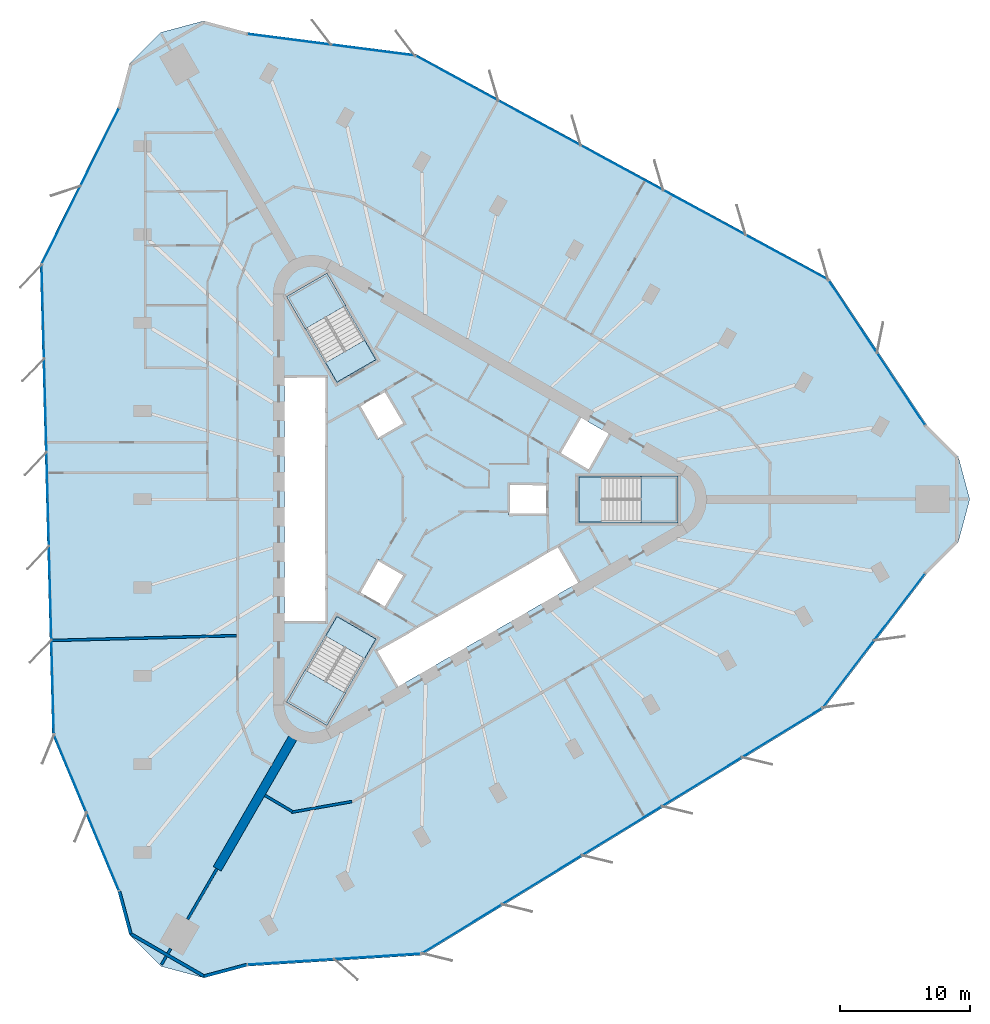
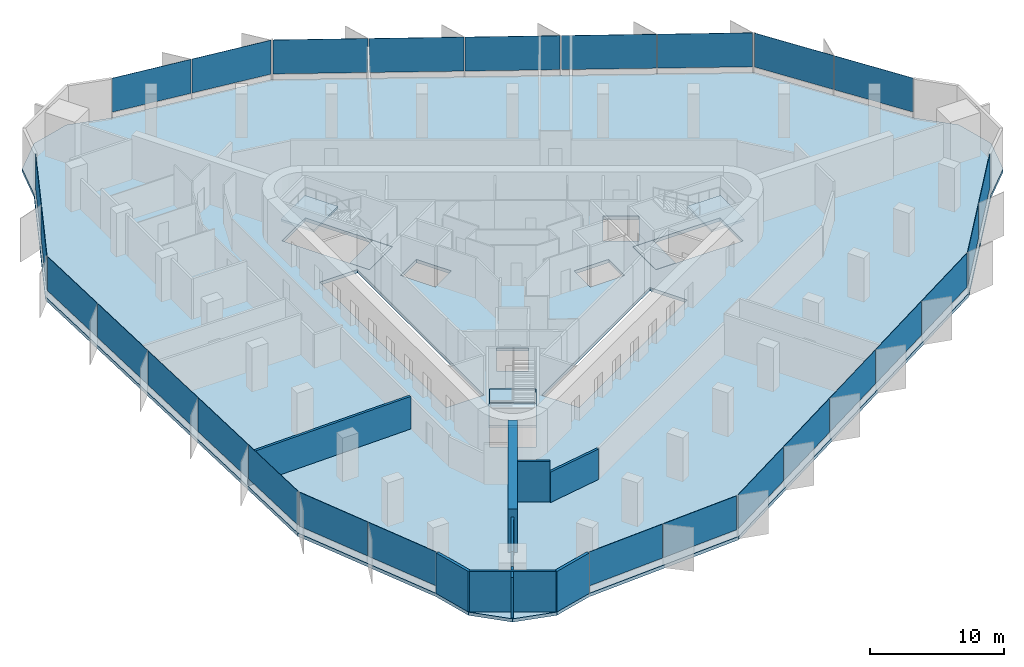
# One storey, part 7 of 14: 27 plates, 10 walls, 7 slabs, 12 elements without a shape of their own.
"""IFC4 building model written with IfcOpenShell, lengths in metres."""

from ifc_helpers import new_model, si_unit, direction, frame, frame_2d, origin, origin_2d, place, context, subcontext, project, spatial, polyline, rectangle, outline, extrude, material, layer, layer_set, type_object, element, aggregate, save


model = new_model("IFC4")

# Units and contexts
model_context = context("Model", 3, precision=1e-05, world=origin(), true_north=direction((0.0, 1.0)))
body_context = subcontext(model_context, "Body", "Model", "MODEL_VIEW")
ifc_project = project(units=[si_unit("LENGTHUNIT", "METRE"), si_unit("AREAUNIT", "SQUARE_METRE"), si_unit("VOLUMEUNIT", "CUBIC_METRE"), si_unit("PLANEANGLEUNIT", "RADIAN"), si_unit("MASSUNIT", "GRAM", prefix="KILO")], contexts=[model_context])

# Site, building, storey
site_placement = place(None, origin())
site = spatial("IfcSite", under=ifc_project, at=site_placement, CompositionType="ELEMENT")
building_placement = place(site_placement, origin())
building = spatial("IfcBuilding", under=site, at=building_placement, Name="Tanit Gate Tower", CompositionType="ELEMENT")
storey_placement = place(building_placement, frame((0.0, 0.0, 225.199951171875)))
storey = spatial("IfcBuildingStorey", under=building, at=storey_placement, Name="L50", CompositionType="ELEMENT", Elevation=225.199951171875)

# Slab
ifc_material_1 = material(Name="Concrete C35/45", Category="concrete")
ifc_layer_1 = layer(ifc_material_1, 0.300048828125)
ifc_layer_set_1 = layer_set([ifc_layer_1], Name="FLOOR SLAB 300 C35/45")
slab_type_1 = type_object("IfcSlabType", Name="FLOOR SLAB 300 C35/45", PredefinedType="FLOOR", material=ifc_layer_set_1)
slab_1_placement = place(storey_placement, frame((0.0, 0.0, -0.300048828125)))
element("IfcSlab", 1, at=slab_1_placement, inside=storey, type_object=slab_type_1, Name="FLOOR SLAB L50", PredefinedType="FLOOR", context=body_context, shape_type="SweptSolid", body=[
    extrude(outline(polyline([(38.059814453125, 5.72509765625), (40.4794921875, 3.305419921875), (41.365234375, 0.0), (40.4794921875, -3.305419921875), (38.059814453125, -5.72509765625), (30.148193359375, -16.10009765625), (-0.66015625, -34.974609375), (-14.07177734375, -35.823486328125), (-17.377197265625, -36.708984375), (-20.6826171875, -35.823486328125), (-23.102294921875, -33.40380859375), (-23.988037109375, -30.098388671875), (-29.017333984375, -18.05908203125), (-29.958984375, 18.05908203125), (-23.988037109375, 30.098388671875), (-23.102294921875, 33.40380859375), (-20.6826171875, 35.823486328125), (-17.377197265625, 36.708984375), (-14.07177734375, 35.823486328125), (-1.130859375, 34.1591796875), (30.618896484375, 16.915771484375), (38.059814453125, 5.72509765625)]), holes=[polyline([(11.3701171875, 1.72998046875), (18.929931640625, 1.72998046875), (18.929931640625, -1.72998046875), (11.3701171875, -1.72998046875), (11.3701171875, 1.72998046875)]), polyline([(9.82080078125, 3.510009765625), (11.44580078125, 6.324462890625), (13.783935546875, 4.974609375), (12.158935546875, 2.159912109375), (9.82080078125, 3.510009765625)]), polyline([(-4.208984375, -11.60986328125), (9.82080078125, -3.510009765625), (11.44580078125, -6.324462890625), (-2.583984375, -14.424560546875), (-4.208984375, -11.60986328125)]), polyline([(6.0, 1.199951171875), (9.0, 1.199951171875), (9.0, -1.199951171875), (6.0, -1.199951171875), (6.0, 1.199951171875)]), polyline([(-5.539306640625, 7.194091796875), (-3.460693359375, 8.394287109375), (-1.960693359375, 5.796142578125), (-4.039306640625, 4.59619140625), (-5.539306640625, 7.194091796875)]), polyline([(-1.960693359375, -5.796142578125), (-3.460693359375, -8.394287109375), (-5.539306640625, -7.194091796875), (-4.039306640625, -4.59619140625), (-1.960693359375, -5.796142578125)]), polyline([(-10.963134765625, 15.52880859375), (-7.966796875, 17.2587890625), (-4.186767578125, 10.711669921875), (-7.18310546875, 8.981689453125), (-10.963134765625, 15.52880859375)]), polyline([(-4.186767578125, -10.711669921875), (-7.966796875, -17.2587890625), (-10.963134765625, -15.52880859375), (-7.18310546875, -8.981689453125), (-4.186767578125, -10.711669921875)]), polyline([(-11.199951171875, -9.449951171875), (-11.199951171875, 9.449951171875), (-7.949951171875, 9.449951171875), (-7.949951171875, -9.449951171875), (-11.199951171875, -9.449951171875)])]), origin(), (0.0, 0.0, 1.0), 0.300048828125),
])

# Curtain wall, plates
ifc_material_2 = material(Name="Aluminium bronze anodised and glass", Category="aluminium")
curtain_wall_type = type_object("IfcCurtainWallType", Name="Curtain wall typical mid", PredefinedType="NOTDEFINED", material=ifc_material_2)
curtain_wall_1_placement = place(storey_placement, origin())
curtain_wall_1 = element("IfcCurtainWall", 2, at=curtain_wall_1_placement, inside=storey, type_object=curtain_wall_type, Name="Curtain wall L50 NE1", PredefinedType="NOTDEFINED")
ifc_material_3 = material(Name="Glass tinted", Category="glass")
ifc_layer_2 = layer(ifc_material_3, 0.030029296875)
ifc_layer_set_2 = layer_set([ifc_layer_2], Name="Glass panel 30 typical mid")
plate_type = type_object("IfcPlateType", Name="Glass panel 30 typical mid", PredefinedType="CURTAIN_PANEL", material=ifc_layer_set_2)
plate_1_placement = place(storey_placement, frame((36.09765625, 8.459228515625, 0.60009765625), z_axis=(0.0, 0.0, 1.0), x_axis=(-0.553699143506, 0.832716793682, 0.0)))
plate_1 = element("IfcPlate", 3, at=plate_1_placement, type_object=plate_type, Name="Glass panel L50 NE1.1", PredefinedType="CURTAIN_PANEL", context=body_context, shape_type="SweptSolid", body=[
    extrude(rectangle(XDim=6.59033203125, YDim=0.030029296875, at=origin_2d()), origin(), (0.0, 0.0, 1.0), 3.10009765625),
])
plate_2_placement = place(storey_placement, frame((32.404296875, 14.013916015625, 0.60009765625), z_axis=(0.0, 0.0, 1.0), x_axis=(-0.553699143506, 0.832716793682, 0.0)))
plate_2 = element("IfcPlate", 4, at=plate_2_placement, type_object=plate_type, Name="Glass panel L50 NE1.2", PredefinedType="CURTAIN_PANEL", context=body_context, shape_type="SweptSolid", body=[
    extrude(rectangle(XDim=6.59033203125, YDim=0.030029296875, at=origin_2d()), origin(), (0.0, 0.0, 1.0), 3.10009765625),
])
aggregate(curtain_wall_1, [plate_1, plate_2])

curtain_wall_2_placement = place(storey_placement, origin())
curtain_wall_2 = element("IfcCurtainWall", 5, at=curtain_wall_2_placement, inside=storey, type_object=curtain_wall_type, Name="Curtain wall L50 NE2", PredefinedType="NOTDEFINED")
plate_3_placement = place(storey_placement, frame((27.3369140625, 18.5615234375, 0.60009765625), z_axis=(0.0, 0.0, 1.0), x_axis=(-0.878762487631, 0.477259353321, 0.0)))
plate_3 = element("IfcPlate", 6, at=plate_3_placement, type_object=plate_type, Name="Glass panel L50 NE2.1", PredefinedType="CURTAIN_PANEL", context=body_context, shape_type="SweptSolid", body=[
    extrude(rectangle(XDim=7.11962890625, YDim=0.030029296875, at=origin_2d()), origin(), (0.0, 0.0, 1.0), 3.10009765625),
])
plate_4_placement = place(storey_placement, frame((21.01025390625, 21.99755859375, 0.60009765625), z_axis=(0.0, 0.0, 1.0), x_axis=(-0.878762487631, 0.477259353321, 0.0)))
plate_4 = element("IfcPlate", 7, at=plate_4_placement, type_object=plate_type, Name="Glass panel L50 NE2.2", PredefinedType="CURTAIN_PANEL", context=body_context, shape_type="SweptSolid", body=[
    extrude(rectangle(XDim=7.11962890625, YDim=0.030029296875, at=origin_2d()), origin(), (0.0, 0.0, 1.0), 3.10009765625),
])
plate_5_placement = place(storey_placement, frame((14.68359375, 25.433837890625, 0.60009765625), z_axis=(0.0, 0.0, 1.0), x_axis=(-0.878762487631, 0.477259353321, 0.0)))
plate_5 = element("IfcPlate", 8, at=plate_5_placement, type_object=plate_type, Name="Glass panel L50 NE2.3", PredefinedType="CURTAIN_PANEL", context=body_context, shape_type="SweptSolid", body=[
    extrude(rectangle(XDim=7.11962890625, YDim=0.030029296875, at=origin_2d()), origin(), (0.0, 0.0, 1.0), 3.10009765625),
])
plate_6_placement = place(storey_placement, frame((8.356689453125, 28.869873046875, 0.60009765625), z_axis=(0.0, 0.0, 1.0), x_axis=(-0.878762487631, 0.477259353321, 0.0)))
plate_6 = element("IfcPlate", 9, at=plate_6_placement, type_object=plate_type, Name="Glass panel L50 NE2.4", PredefinedType="CURTAIN_PANEL", context=body_context, shape_type="SweptSolid", body=[
    extrude(rectangle(XDim=7.11962890625, YDim=0.030029296875, at=origin_2d()), origin(), (0.0, 0.0, 1.0), 3.10009765625),
])
plate_7_placement = place(storey_placement, frame((2.030029296875, 32.305908203125, 0.60009765625), z_axis=(0.0, 0.0, 1.0), x_axis=(-0.878762487631, 0.477259353321, 0.0)))
plate_7 = element("IfcPlate", 10, at=plate_7_placement, type_object=plate_type, Name="Glass panel L50 NE2.5", PredefinedType="CURTAIN_PANEL", context=body_context, shape_type="SweptSolid", body=[
    extrude(rectangle(XDim=7.11962890625, YDim=0.030029296875, at=origin_2d()), origin(), (0.0, 0.0, 1.0), 3.10009765625),
])
aggregate(curtain_wall_2, [plate_3, plate_4, plate_5, plate_6, plate_7])

curtain_wall_3_placement = place(storey_placement, origin())
curtain_wall_3 = element("IfcCurtainWall", 11, at=curtain_wall_3_placement, inside=storey, type_object=curtain_wall_type, Name="Curtain wall L50 NE3", PredefinedType="NOTDEFINED")
plate_8_placement = place(storey_placement, frame((-4.419921875, 34.461181640625, 0.60009765625), z_axis=(0.0, 0.0, 1.0), x_axis=(-0.991831679282, 0.127553596472, 0.0)))
plate_8 = element("IfcPlate", 12, at=plate_8_placement, type_object=plate_type, Name="Glass panel L50 NE3.1", PredefinedType="CURTAIN_PANEL", context=body_context, shape_type="SweptSolid", body=[
    extrude(rectangle(XDim=6.396484375, YDim=0.030029296875, at=origin_2d()), origin(), (0.0, 0.0, 1.0), 3.10009765625),
])
plate_9_placement = place(storey_placement, frame((-10.843505859375, 35.287353515625, 0.60009765625), z_axis=(0.0, 0.0, 1.0), x_axis=(-0.991831679282, 0.127553596472, 0.0)))
plate_9 = element("IfcPlate", 13, at=plate_9_placement, type_object=plate_type, Name="Glass panel L50 NE3.2", PredefinedType="CURTAIN_PANEL", context=body_context, shape_type="SweptSolid", body=[
    extrude(rectangle(XDim=6.396484375, YDim=0.030029296875, at=origin_2d()), origin(), (0.0, 0.0, 1.0), 3.10009765625),
])
aggregate(curtain_wall_3, [plate_8, plate_9])

curtain_wall_4_placement = place(storey_placement, origin())
curtain_wall_4 = element("IfcCurtainWall", 14, at=curtain_wall_4_placement, inside=storey, type_object=curtain_wall_type, Name="Curtain wall L50 W1", PredefinedType="NOTDEFINED")
plate_10_placement = place(storey_placement, frame((-25.375, 27.031982421875, 0.60009765625), z_axis=(0.0, 0.0, 1.0), x_axis=(-0.444304325734, -0.895875921171, 0.0)))
plate_10 = element("IfcPlate", 15, at=plate_10_placement, type_object=plate_type, Name="Glass panel L50 W1.1", PredefinedType="CURTAIN_PANEL", context=body_context, shape_type="SweptSolid", body=[
    extrude(rectangle(XDim=6.59033203125, YDim=0.030029296875, at=origin_2d()), origin(), (0.0, 0.0, 1.0), 3.10009765625),
])
plate_11_placement = place(storey_placement, frame((-28.338623046875, 21.05615234375, 0.60009765625), z_axis=(0.0, 0.0, 1.0), x_axis=(-0.444304325734, -0.895875921171, 0.0)))
plate_11 = element("IfcPlate", 16, at=plate_11_placement, type_object=plate_type, Name="Glass panel L50 W1.2", PredefinedType="CURTAIN_PANEL", context=body_context, shape_type="SweptSolid", body=[
    extrude(rectangle(XDim=6.59033203125, YDim=0.030029296875, at=origin_2d()), origin(), (0.0, 0.0, 1.0), 3.10009765625),
])
aggregate(curtain_wall_4, [plate_10, plate_11])

curtain_wall_5_placement = place(storey_placement, origin())
curtain_wall_5 = element("IfcCurtainWall", 17, at=curtain_wall_5_placement, inside=storey, type_object=curtain_wall_type, Name="Curtain wall L50 W2", PredefinedType="NOTDEFINED")
plate_12_placement = place(storey_placement, frame((-29.743408203125, 14.393798828125, 0.60009765625), z_axis=(0.0, 0.0, 1.0), x_axis=(0.026062519646, -0.999660314842, 0.0)))
plate_12 = element("IfcPlate", 18, at=plate_12_placement, type_object=plate_type, Name="Glass panel L50 W2.1", PredefinedType="CURTAIN_PANEL", context=body_context, shape_type="SweptSolid", body=[
    extrude(rectangle(XDim=7.11962890625, YDim=0.030029296875, at=origin_2d()), origin(), (0.0, 0.0, 1.0), 3.10009765625),
])
plate_13_placement = place(storey_placement, frame((-29.5556640625, 7.196533203125, 0.60009765625), z_axis=(0.0, 0.0, 1.0), x_axis=(0.026062519646, -0.999660314842, 0.0)))
plate_13 = element("IfcPlate", 19, at=plate_13_placement, type_object=plate_type, Name="Glass panel L50 W2.2", PredefinedType="CURTAIN_PANEL", context=body_context, shape_type="SweptSolid", body=[
    extrude(rectangle(XDim=7.11962890625, YDim=0.030029296875, at=origin_2d()), origin(), (0.0, 0.0, 1.0), 3.10009765625),
])
plate_14_placement = place(storey_placement, frame((-29.367919921875, -0.00048828125, 0.60009765625), z_axis=(0.0, 0.0, 1.0), x_axis=(0.026062519646, -0.999660314842, 0.0)))
plate_14 = element("IfcPlate", 20, at=plate_14_placement, type_object=plate_type, Name="Glass panel L50 W2.3", PredefinedType="CURTAIN_PANEL", context=body_context, shape_type="SweptSolid", body=[
    extrude(rectangle(XDim=7.11962890625, YDim=0.030029296875, at=origin_2d()), origin(), (0.0, 0.0, 1.0), 3.10009765625),
])
plate_15_placement = place(storey_placement, frame((-29.180419921875, -7.19775390625, 0.60009765625), z_axis=(0.0, 0.0, 1.0), x_axis=(0.026062519646, -0.999660314842, 0.0)))
plate_15 = element("IfcPlate", 21, at=plate_15_placement, type_object=plate_type, Name="Glass panel L50 W2.4", PredefinedType="CURTAIN_PANEL", context=body_context, shape_type="SweptSolid", body=[
    extrude(rectangle(XDim=7.11962890625, YDim=0.030029296875, at=origin_2d()), origin(), (0.0, 0.0, 1.0), 3.10009765625),
])
plate_16_placement = place(storey_placement, frame((-28.99267578125, -14.394775390625, 0.60009765625), z_axis=(0.0, 0.0, 1.0), x_axis=(0.026062519646, -0.999660314842, 0.0)))
plate_16 = element("IfcPlate", 22, at=plate_16_placement, type_object=plate_type, Name="Glass panel L50 W2.5", PredefinedType="CURTAIN_PANEL", context=body_context, shape_type="SweptSolid", body=[
    extrude(rectangle(XDim=7.11962890625, YDim=0.030029296875, at=origin_2d()), origin(), (0.0, 0.0, 1.0), 3.10009765625),
])
aggregate(curtain_wall_5, [plate_12, plate_13, plate_14, plate_15, plate_16])

curtain_wall_6_placement = place(storey_placement, origin())
curtain_wall_6 = element("IfcCurtainWall", 23, at=curtain_wall_6_placement, inside=storey, type_object=curtain_wall_type, Name="Curtain wall L50 W3", PredefinedType="NOTDEFINED")
plate_17_placement = place(storey_placement, frame((-27.63427734375, -21.058349609375, 0.60009765625), z_axis=(0.0, 0.0, 1.0), x_axis=(0.385451184752, -0.922728228772, 0.0)))
plate_17 = element("IfcPlate", 24, at=plate_17_placement, type_object=plate_type, Name="Glass panel L50 W3.1", PredefinedType="CURTAIN_PANEL", context=body_context, shape_type="SweptSolid", body=[
    extrude(rectangle(XDim=6.396484375, YDim=0.030029296875, at=origin_2d()), origin(), (0.0, 0.0, 1.0), 3.10009765625),
])
plate_18_placement = place(storey_placement, frame((-25.137939453125, -27.034423828125, 0.60009765625), z_axis=(0.0, 0.0, 1.0), x_axis=(0.385451184752, -0.922728228772, 0.0)))
plate_18 = element("IfcPlate", 25, at=plate_18_placement, type_object=plate_type, Name="Glass panel L50 W3.2", PredefinedType="CURTAIN_PANEL", context=body_context, shape_type="SweptSolid", body=[
    extrude(rectangle(XDim=6.396484375, YDim=0.030029296875, at=origin_2d()), origin(), (0.0, 0.0, 1.0), 3.10009765625),
])
aggregate(curtain_wall_6, [plate_17, plate_18])

curtain_wall_7_placement = place(storey_placement, origin())
curtain_wall_7 = element("IfcCurtainWall", 26, at=curtain_wall_7_placement, inside=storey, type_object=curtain_wall_type, Name="Curtain wall L50 SE1", PredefinedType="NOTDEFINED")
plate_19_placement = place(storey_placement, frame((-10.722900390625, -35.4912109375, 0.60009765625), z_axis=(0.0, 0.0, 1.0), x_axis=(0.99800346924, 0.063159127489, 0.0)))
plate_19 = element("IfcPlate", 27, at=plate_19_placement, type_object=plate_type, Name="Glass panel L50 SE1.1", PredefinedType="CURTAIN_PANEL", context=body_context, shape_type="SweptSolid", body=[
    extrude(rectangle(XDim=6.59033203125, YDim=0.030029296875, at=origin_2d()), origin(), (0.0, 0.0, 1.0), 3.10009765625),
])
plate_20_placement = place(storey_placement, frame((-4.065673828125, -35.06982421875, 0.60009765625), z_axis=(0.0, 0.0, 1.0), x_axis=(0.99800346924, 0.063159127489, 0.0)))
plate_20 = element("IfcPlate", 28, at=plate_20_placement, type_object=plate_type, Name="Glass panel L50 SE1.2", PredefinedType="CURTAIN_PANEL", context=body_context, shape_type="SweptSolid", body=[
    extrude(rectangle(XDim=6.59033203125, YDim=0.030029296875, at=origin_2d()), origin(), (0.0, 0.0, 1.0), 3.10009765625),
])
aggregate(curtain_wall_7, [plate_19, plate_20])

curtain_wall_8_placement = place(storey_placement, origin())
curtain_wall_8 = element("IfcCurtainWall", 29, at=curtain_wall_8_placement, inside=storey, type_object=curtain_wall_type, Name="Curtain wall L50 SE2", PredefinedType="NOTDEFINED")
plate_21_placement = place(storey_placement, frame((2.40625, -32.955322265625, 0.60009765625), z_axis=(0.0, 0.0, 1.0), x_axis=(0.852699967985, 0.522400961521, 0.0)))
plate_21 = element("IfcPlate", 30, at=plate_21_placement, type_object=plate_type, Name="Glass panel L50 SE2.1", PredefinedType="CURTAIN_PANEL", context=body_context, shape_type="SweptSolid", body=[
    extrude(rectangle(XDim=7.11962890625, YDim=0.030029296875, at=origin_2d()), origin(), (0.0, 0.0, 1.0), 3.10009765625),
])
plate_22_placement = place(storey_placement, frame((8.54541015625, -29.1943359375, 0.60009765625), z_axis=(0.0, 0.0, 1.0), x_axis=(0.852699967985, 0.522400961521, 0.0)))
plate_22 = element("IfcPlate", 31, at=plate_22_placement, type_object=plate_type, Name="Glass panel L50 SE2.2", PredefinedType="CURTAIN_PANEL", context=body_context, shape_type="SweptSolid", body=[
    extrude(rectangle(XDim=7.11962890625, YDim=0.030029296875, at=origin_2d()), origin(), (0.0, 0.0, 1.0), 3.10009765625),
])
plate_23_placement = place(storey_placement, frame((14.6845703125, -25.43310546875, 0.60009765625), z_axis=(0.0, 0.0, 1.0), x_axis=(0.852699967985, 0.522400961521, 0.0)))
plate_23 = element("IfcPlate", 32, at=plate_23_placement, type_object=plate_type, Name="Glass panel L50 SE2.3", PredefinedType="CURTAIN_PANEL", context=body_context, shape_type="SweptSolid", body=[
    extrude(rectangle(XDim=7.11962890625, YDim=0.030029296875, at=origin_2d()), origin(), (0.0, 0.0, 1.0), 3.10009765625),
])
plate_24_placement = place(storey_placement, frame((20.823486328125, -21.672119140625, 0.60009765625), z_axis=(0.0, 0.0, 1.0), x_axis=(0.852699967985, 0.522400961521, 0.0)))
plate_24 = element("IfcPlate", 33, at=plate_24_placement, type_object=plate_type, Name="Glass panel L50 SE2.4", PredefinedType="CURTAIN_PANEL", context=body_context, shape_type="SweptSolid", body=[
    extrude(rectangle(XDim=7.11962890625, YDim=0.030029296875, at=origin_2d()), origin(), (0.0, 0.0, 1.0), 3.10009765625),
])
plate_25_placement = place(storey_placement, frame((26.962646484375, -17.9111328125, 0.60009765625), z_axis=(0.0, 0.0, 1.0), x_axis=(0.852699967985, 0.522400961521, 0.0)))
plate_25 = element("IfcPlate", 34, at=plate_25_placement, type_object=plate_type, Name="Glass panel L50 SE2.5", PredefinedType="CURTAIN_PANEL", context=body_context, shape_type="SweptSolid", body=[
    extrude(rectangle(XDim=7.11962890625, YDim=0.030029296875, at=origin_2d()), origin(), (0.0, 0.0, 1.0), 3.10009765625),
])
aggregate(curtain_wall_8, [plate_21, plate_22, plate_23, plate_24, plate_25])

curtain_wall_9_placement = place(storey_placement, origin())
curtain_wall_9 = element("IfcCurtainWall", 35, at=curtain_wall_9_placement, inside=storey, type_object=curtain_wall_type, Name="Curtain wall L50 SE3", PredefinedType="NOTDEFINED")
plate_26_placement = place(storey_placement, frame((32.05419921875, -13.40283203125, 0.60009765625), z_axis=(0.0, 0.0, 1.0), x_axis=(0.60638049453, 0.7951746323, 0.0)))
plate_26 = element("IfcPlate", 36, at=plate_26_placement, type_object=plate_type, Name="Glass panel L50 SE3.1", PredefinedType="CURTAIN_PANEL", context=body_context, shape_type="SweptSolid", body=[
    extrude(rectangle(XDim=6.396484375, YDim=0.030029296875, at=origin_2d()), origin(), (0.0, 0.0, 1.0), 3.10009765625),
])
plate_27_placement = place(storey_placement, frame((35.9814453125, -8.252685546875, 0.60009765625), z_axis=(0.0, 0.0, 1.0), x_axis=(0.60638049453, 0.7951746323, 0.0)))
plate_27 = element("IfcPlate", 37, at=plate_27_placement, type_object=plate_type, Name="Glass panel L50 SE3.2", PredefinedType="CURTAIN_PANEL", context=body_context, shape_type="SweptSolid", body=[
    extrude(rectangle(XDim=6.396484375, YDim=0.030029296875, at=origin_2d()), origin(), (0.0, 0.0, 1.0), 3.10009765625),
])
aggregate(curtain_wall_9, [plate_26, plate_27])

# Stair, slab
ifc_material_4 = material(Name="Concrete C40/50", Category="concrete")
stair_type = type_object("IfcStairType", Name="INT-STAIR-EXIT", PredefinedType="HALF_TURN_STAIR", material=ifc_material_4)
stair_1_placement = place(storey_placement, origin())
stair_1 = element("IfcStair", 38, at=stair_1_placement, inside=storey, type_object=stair_type, Name="L50 STAIR S1", PredefinedType="HALF_TURN_STAIR")
ifc_material_5 = material(Name="Concrete C40/50", Category="concrete")
ifc_layer_3 = layer(ifc_material_5, 0.199951171875)
ifc_layer_set_3 = layer_set([ifc_layer_3], Name="INT-STAIR-LANDING")
slab_type_2 = type_object("IfcSlabType", Name="INT-STAIR-LANDING", PredefinedType="LANDING", material=ifc_layer_set_3)
slab_2_placement = place(storey_placement, frame((0.0, 0.0, 1.800048828125)))
slab_2 = element("IfcSlab", 39, at=slab_2_placement, type_object=slab_type_2, Name="S1 landing 1", PredefinedType="LANDING", context=body_context, shape_type="SweptSolid", body=[
    extrude(outline(polyline([(16.135986328125, -1.800048828125), (19.0, -1.800048828125), (19.0, 1.800048828125), (16.135986328125, 1.800048828125), (16.135986328125, -1.800048828125)])), origin(), (0.0, 0.0, 1.0), 0.199951171875),
])
aggregate(stair_1, [slab_2])

# Slab
slab_3_placement = place(storey_placement, frame((0.0, 0.0, -0.199951171875)))
element("IfcSlab", 40, at=slab_3_placement, inside=storey, type_object=slab_type_2, Name="S1 floor landing", PredefinedType="LANDING", context=body_context, shape_type="SweptSolid", body=[
    extrude(outline(polyline([(11.3798828125, -1.719970703125), (13.10498046875, -1.719970703125), (13.10498046875, 1.719970703125), (11.3798828125, 1.719970703125), (11.3798828125, -1.719970703125)])), origin(), (0.0, 0.0, 1.0), 0.199951171875),
])

# Stair, slab
stair_2_placement = place(storey_placement, origin())
stair_2 = element("IfcStair", 41, at=stair_2_placement, inside=storey, type_object=stair_type, Name="L50 STAIR S2", PredefinedType="HALF_TURN_STAIR")
slab_4_placement = place(storey_placement, frame((0.0, 0.0, 1.800048828125)))
slab_4 = element("IfcSlab", 42, at=slab_4_placement, type_object=slab_type_2, Name="S2 landing 1", PredefinedType="LANDING", context=body_context, shape_type="SweptSolid", body=[
    extrude(outline(polyline([(-6.5078125, 14.871826171875), (-7.941162109375, 17.3544921875), (-11.058837890625, 15.554443359375), (-9.62548828125, 13.07177734375), (-6.5078125, 14.871826171875)])), origin(), (0.0, 0.0, 1.0), 0.199951171875),
])
aggregate(stair_2, [slab_4])

# Slab
slab_5_placement = place(storey_placement, frame((0.0, 0.0, -0.199951171875)))
element("IfcSlab", 43, at=slab_5_placement, inside=storey, type_object=slab_type_2, Name="S2 floor landing", PredefinedType="LANDING", context=body_context, shape_type="SweptSolid", body=[
    extrude(outline(polyline([(-4.200439453125, 10.71533203125), (-5.0625, 12.20849609375), (-8.04150390625, 10.48828125), (-7.179443359375, 8.995361328125), (-4.200439453125, 10.71533203125)])), origin(), (0.0, 0.0, 1.0), 0.199951171875),
])

# Stair, slab
stair_3_placement = place(storey_placement, origin())
stair_3 = element("IfcStair", 44, at=stair_3_placement, inside=storey, type_object=stair_type, Name="L50 STAIR S3", PredefinedType="HALF_TURN_STAIR")
slab_6_placement = place(storey_placement, frame((0.0, 0.0, 1.800048828125)))
slab_6 = element("IfcSlab", 45, at=slab_6_placement, type_object=slab_type_2, Name="S3 landing 1", PredefinedType="LANDING", context=body_context, shape_type="SweptSolid", body=[
    extrude(outline(polyline([(-9.626953125, -13.07421875), (-11.058837890625, -15.554443359375), (-7.941162109375, -17.3544921875), (-6.509033203125, -14.874267578125), (-9.626953125, -13.07421875)])), origin(), (0.0, 0.0, 1.0), 0.199951171875),
])
aggregate(stair_3, [slab_6])

# Slab
slab_7_placement = place(storey_placement, frame((0.0, 0.0, -0.199951171875)))
element("IfcSlab", 46, at=slab_7_placement, inside=storey, type_object=slab_type_2, Name="S3 floor landing", PredefinedType="LANDING", context=body_context, shape_type="SweptSolid", body=[
    extrude(outline(polyline([(-7.179443359375, -8.995361328125), (-8.0419921875, -10.4892578125), (-5.06298828125, -12.209228515625), (-4.200439453125, -10.71533203125), (-7.179443359375, -8.995361328125)])), origin(), (0.0, 0.0, 1.0), 0.199951171875),
])

# Walls
ifc_material_6 = material(Name="Concrete C50/60", Category="concrete")
ifc_layer_4 = layer(ifc_material_6, 0.699951171875)
ifc_layer_set_4 = layer_set([ifc_layer_4], Name="BUTTRESS FIN 700 C50/60")
wall_type_1 = type_object("IfcWallType", Name="BUTTRESS FIN 700 C50/60", PredefinedType="SHEAR", material=ifc_layer_set_4)
wall_1_placement = place(storey_placement, frame((-10.574951171875, -18.31640625, 0.0), z_axis=(0.0, 0.0, 1.0), x_axis=(-0.499998001389, -0.86602655768, 0.0)))
element("IfcWall", 47, at=wall_1_placement, inside=storey, type_object=wall_type_1, Name="BUTTRESS FIN", PredefinedType="SHEAR", context=body_context, shape_type="SweptSolid", body=[
    extrude(rectangle(XDim=11.5810546875, YDim=0.699951171875, at=frame_2d((5.79052734375, 0.0))), origin(), (0.0, 0.0, 1.0), 4.0),
])
ifc_material_7 = material(Name="Concrete C30/37 with bronze anodised aluminium cladding", Category="concrete")
ifc_layer_5 = layer(ifc_material_7, 0.239990234375)
ifc_layer_set_5 = layer_set([ifc_layer_5], Name="Facade wall bronze clad 240")
wall_type_2 = type_object("IfcWallType", Name="Facade wall bronze clad 240", PredefinedType="SOLIDWALL", material=ifc_layer_set_5)
wall_2_placement = place(storey_placement, frame((-23.874267578125, -30.059326171875, 0.0), z_axis=(0.0, 0.0, 1.0), x_axis=(0.258798334869, -0.965931375341, 0.0)))
element("IfcWall", 48, at=wall_2_placement, inside=storey, type_object=wall_type_2, Name="Bronze-clad facade wall L50 SW.arc1", PredefinedType="SOLIDWALL", context=body_context, shape_type="SweptSolid", body=[
    extrude(rectangle(XDim=3.39794921875, YDim=0.239990234375, at=frame_2d((1.698974609375, 0.0))), origin(), (0.0, 0.0, 1.0), 3.699951171875),
])
wall_3_placement = place(storey_placement, frame((-22.994873046875, -33.341552734375, 0.0), z_axis=(0.0, 0.0, 1.0), x_axis=(0.866022628259, -0.50000480732, 0.0)))
element("IfcWall", 49, at=wall_3_placement, inside=storey, type_object=wall_type_2, Name="Bronze-clad facade wall L50 SW.arc2", PredefinedType="SOLIDWALL", context=body_context, shape_type="SweptSolid", body=[
    extrude(rectangle(XDim=6.48681640625, YDim=0.239990234375, at=frame_2d((3.243408203125, 0.0))), origin(), (0.0, 0.0, 1.0), 3.699951171875),
])
wall_4_placement = place(storey_placement, frame((-17.377197265625, -36.5849609375, 0.0), z_axis=(0.0, 0.0, 1.0), x_axis=(0.96591377161, 0.258864029586, 0.0)))
element("IfcWall", 50, at=wall_4_placement, inside=storey, type_object=wall_type_2, Name="Bronze-clad facade wall L50 SW.arc3", PredefinedType="SOLIDWALL", context=body_context, shape_type="SweptSolid", body=[
    extrude(rectangle(XDim=3.40185546875, YDim=0.239990234375, at=frame_2d((1.700927734375, 0.0))), origin(), (0.0, 0.0, 1.0), 3.699951171875),
])
ifc_material_8 = material(Name="Fire-rated gypsum board partition")
ifc_layer_6 = layer(ifc_material_8, 0.199951171875)
ifc_layer_set_6 = layer_set([ifc_layer_6], Name="INT-WALL-COMPARTMENT")
wall_type_3 = type_object("IfcWallType", Name="INT-WALL-COMPARTMENT", PredefinedType="PARTITIONING", material=ifc_layer_set_6)
wall_5_placement = place(storey_placement, frame((-10.664794921875, -24.0048828125, 0.0), z_axis=(0.0, 0.0, 1.0), x_axis=(0.984806532296, 0.173655100553, 0.0)))
element("IfcWall", 51, at=wall_5_placement, inside=storey, type_object=wall_type_3, Name="Wall Compartment W114", PredefinedType="PARTITIONING", context=body_context, shape_type="SweptSolid", body=[
    extrude(rectangle(XDim=4.70556640625, YDim=0.199951171875, at=frame_2d((2.352783203125, 0.0))), origin(), (0.0, 0.0, 1.0), 2.780029296875),
])
wall_6_placement = place(storey_placement, frame((-12.706787109375, -22.708984375, 0.0), z_axis=(0.0, 0.0, 1.0), x_axis=(0.860754387085, -0.509020515415, 0.0)))
element("IfcWall", 52, at=wall_6_placement, inside=storey, type_object=wall_type_3, Name="Wall Compartment W115", PredefinedType="PARTITIONING", context=body_context, shape_type="SweptSolid", body=[
    extrude(rectangle(XDim=2.45703125, YDim=0.199951171875, at=frame_2d((1.228515625, 0.0))), origin(), (0.0, 0.0, 1.0), 3.699951171875),
])
wall_7_placement = place(storey_placement, frame((-14.89990234375, -10.456298828125, 0.0), z_axis=(0.0, 0.0, 1.0), x_axis=(-0.999660259834, -0.026064629441, 0.0)))
element("IfcWall", 53, at=wall_7_placement, inside=storey, type_object=wall_type_3, Name="Wall Compartment W118", PredefinedType="PARTITIONING", context=body_context, shape_type="SweptSolid", body=[
    extrude(rectangle(XDim=14.190673828125, YDim=0.199951171875, at=frame_2d((7.09521484375, 0.0))), origin(), (0.0, 0.0, 1.0), 2.97998046875),
])
wall_8_placement = place(storey_placement, frame((-19.93359375, -34.466064453125, 0.0), z_axis=(0.0, 0.0, 1.0), x_axis=(-0.500286910726, -0.865859692419, 0.0)))
element("IfcWall", 54, at=wall_8_placement, inside=storey, type_object=wall_type_3, Name="Wall Compartment W119", PredefinedType="PARTITIONING", context=body_context, shape_type="SweptSolid", body=[
    extrude(rectangle(XDim=0.436767578125, YDim=0.199951171875, at=frame_2d((0.21826171875, 0.0))), origin(), (0.0, 0.0, 1.0), 3.699951171875),
])
wall_9_placement = place(storey_placement, frame((-20.27197265625, -35.05224609375, 0.0), z_axis=(0.0, 0.0, 1.0), x_axis=(-0.500178781653, -0.865922159541, 0.0)))
element("IfcWall", 55, at=wall_9_placement, inside=storey, type_object=wall_type_3, Name="Wall Compartment W119x1", PredefinedType="PARTITIONING", context=body_context, shape_type="SweptSolid", body=[
    extrude(rectangle(XDim=0.740966796875, YDim=0.199951171875, at=frame_2d((0.37060546875, 0.0))), origin(), (0.0, 0.0, 1.0), 3.699951171875),
])
wall_10_placement = place(storey_placement, frame((-16.381103515625, -28.3369140625, 0.0), z_axis=(0.0, 0.0, 1.0), x_axis=(-0.502306256161, -0.864689785427, 0.0)))
element("IfcWall", 56, at=wall_10_placement, inside=storey, type_object=wall_type_3, Name="Wall Compartment W120", PredefinedType="PARTITIONING", context=body_context, shape_type="SweptSolid", body=[
    extrude(rectangle(XDim=4.484130859375, YDim=0.199951171875, at=frame_2d((2.2421875, 0.0))), origin(), (0.0, 0.0, 1.0), 3.27001953125),
])

save(model, "model.ifc")
